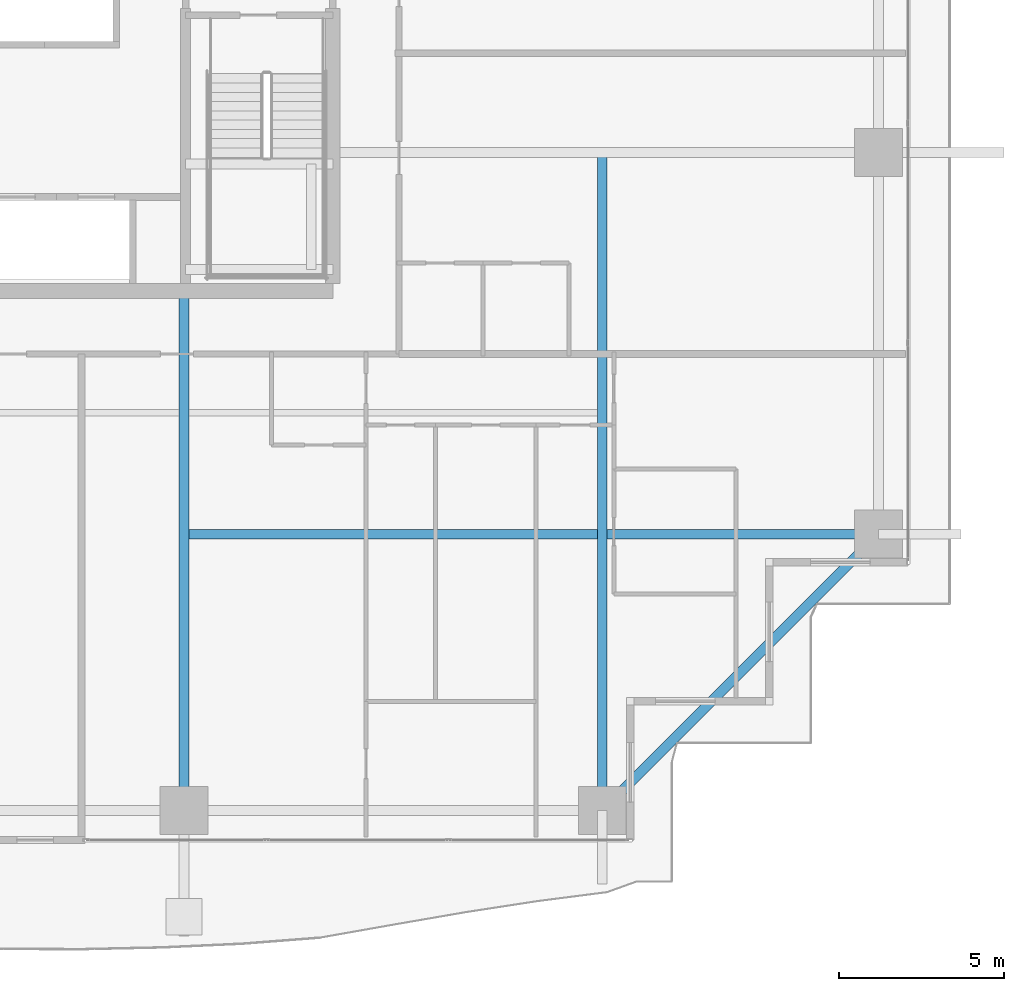
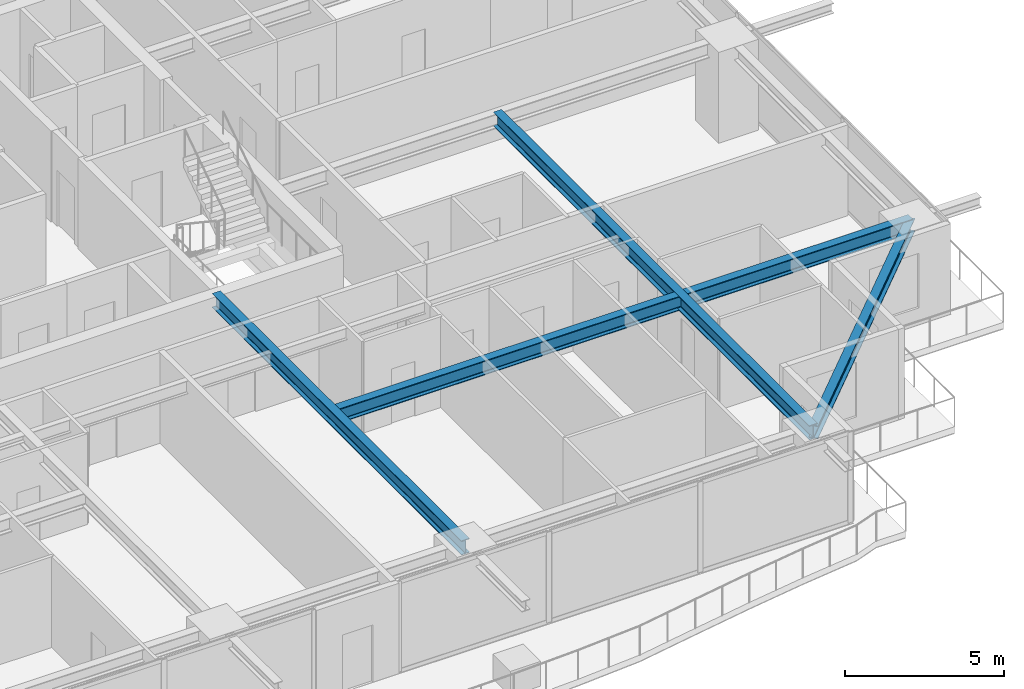
# One storey, part 11 of 39: 4 beams.
"""IFC4 building model written with IfcOpenShell, lengths in metres."""

from ifc_helpers import new_model, si_unit, direction, frame, origin, origin_2d, place, context, subcontext, project, spatial, i_section, extrude, source, transform, mapped, material, material_profile, profile_set, type_object, element, save


model = new_model("IFC4")

# Units and contexts
model_context = context("Model", 3, precision=1e-05, world=origin(), true_north=direction((0.0, 1.0)))
body_context = subcontext(model_context, "Body", "Model", "MODEL_VIEW")
ifc_project = project(units=[si_unit("LENGTHUNIT", "METRE"), si_unit("AREAUNIT", "SQUARE_METRE"), si_unit("VOLUMEUNIT", "CUBIC_METRE"), si_unit("PLANEANGLEUNIT", "RADIAN"), si_unit("MASSUNIT", "GRAM", prefix="KILO")], contexts=[model_context])

# Site, building, storey
site_placement = place(None, origin())
site = spatial("IfcSite", under=ifc_project, at=site_placement, CompositionType="ELEMENT")
building_placement = place(site_placement, origin())
building = spatial("IfcBuilding", under=site, at=building_placement, Name="Serunith Strait Residences", CompositionType="ELEMENT")
storey_placement = place(building_placement, frame((0.0, 0.0, 60.449951171875)))
storey = spatial("IfcBuildingStorey", under=building, at=storey_placement, Name="L14", CompositionType="ELEMENT", Elevation=60.449951171875)

# Beams
ifc_material = material(Name="Steel S355J2", Category="steel")
ifc_material_profile_1 = material_profile(ifc_material, i_section(OverallWidth=0.300048828125, OverallDepth=0.550048828125, WebThickness=0.014892578125, FlangeThickness=0.029052734375, FilletRadius=0.027099609375, at=origin_2d()), Name="HEB 550")
ifc_profile_set_1 = profile_set([ifc_material_profile_1], Name="Steel S355J2")
beam_type_1 = type_object("IfcBeamType", Name="BM-HEB550", PredefinedType="BEAM", material=ifc_profile_set_1)
shared_shape_1 = source(origin(), body_context, "Body", "SweptSolid", [
    extrude(i_section(OverallWidth=0.300048828125, OverallDepth=0.550048828125, WebThickness=0.014892578125, FlangeThickness=0.029052734375, FilletRadius=0.027099609375, at=origin_2d()), origin(), (0.0, 0.0, 1.0), 15.699951171875),
])
beam_1_placement = place(storey_placement, frame((36.89990234375, 16.800048828125, 3.212158203125), z_axis=(0.0, -1.0, 0.0), x_axis=(1.0, 0.0, 0.0)))
element("IfcBeam", 1, at=beam_1_placement, inside=storey, type_object=beam_type_1, Name="L14 Primary Floor Girder TC-S3", PredefinedType="BEAM", context=body_context, shape_type="MappedRepresentation", body=[
    mapped(shared_shape_1, transform((0.0, 0.0, 0.0), scale=1.0)),
])
shared_shape_2 = source(origin(), body_context, "Body", "SweptSolid", [
    extrude(i_section(OverallWidth=0.300048828125, OverallDepth=0.550048828125, WebThickness=0.014892578125, FlangeThickness=0.029052734375, FilletRadius=0.027099609375, at=origin_2d()), origin(), (0.0, 0.0, 1.0), 19.89990234375),
])
beam_2_placement = place(storey_placement, frame((49.550048828125, 21.0, 3.212158203125), z_axis=(0.0, -1.0, 0.0), x_axis=(1.0, 0.0, 0.0)))
element("IfcBeam", 2, at=beam_2_placement, inside=storey, type_object=beam_type_1, Name="L14 Orthogonal Corner Girder TC-S4", PredefinedType="BEAM", context=body_context, shape_type="MappedRepresentation", body=[
    mapped(shared_shape_2, transform((0.0, 0.0, 0.0), scale=1.0)),
])
shared_shape_3 = source(origin(), body_context, "Body", "SweptSolid", [
    extrude(i_section(OverallWidth=0.300048828125, OverallDepth=0.550048828125, WebThickness=0.014892578125, FlangeThickness=0.029052734375, FilletRadius=0.027099609375, at=origin_2d()), origin(), (0.0, 0.0, 1.0), 21.0),
])
beam_3_placement = place(storey_placement, frame((36.89990234375, 9.449951171875, 3.212158203125), z_axis=(1.0, 0.0, 0.0), x_axis=(0.0, 1.0, 0.0)))
element("IfcBeam", 3, at=beam_3_placement, inside=storey, type_object=beam_type_1, Name="L14 Orthogonal Corner Girder TC-E1", PredefinedType="BEAM", context=body_context, shape_type="MappedRepresentation", body=[
    mapped(shared_shape_3, transform((0.0, 0.0, 0.0), scale=1.0)),
])
ifc_material_profile_2 = material_profile(ifc_material, i_section(OverallWidth=0.300048828125, OverallDepth=0.5, WebThickness=0.014404296875, FlangeThickness=0.028076171875, FilletRadius=0.027099609375, at=origin_2d()), Name="HEB 500")
ifc_profile_set_2 = profile_set([ifc_material_profile_2], Name="Steel S355J2")
beam_type_2 = type_object("IfcBeamType", Name="BM-HEB500", PredefinedType="BEAM", material=ifc_profile_set_2)
shared_shape_4 = source(origin(), body_context, "Body", "SweptSolid", [
    extrude(i_section(OverallWidth=0.300048828125, OverallDepth=0.5, WebThickness=0.014404296875, FlangeThickness=0.028076171875, FilletRadius=0.027099609375, at=origin_2d()), origin(), (0.0, 0.0, 1.0), 11.80859375),
])
beam_4_placement = place(storey_placement, frame((49.550048828125, 1.10009765625, 3.20703125), z_axis=(0.707106781187, 0.707106781187, 0.0), x_axis=(-0.707106781187, 0.707106781187, 0.0)))
element("IfcBeam", 4, at=beam_4_placement, inside=storey, type_object=beam_type_2, Name="L14 Perimeter Ring Beam 04", PredefinedType="BEAM", context=body_context, shape_type="MappedRepresentation", body=[
    mapped(shared_shape_4, transform((0.0, 0.0, 0.0), scale=1.0)),
])

save(model, "model.ifc")
